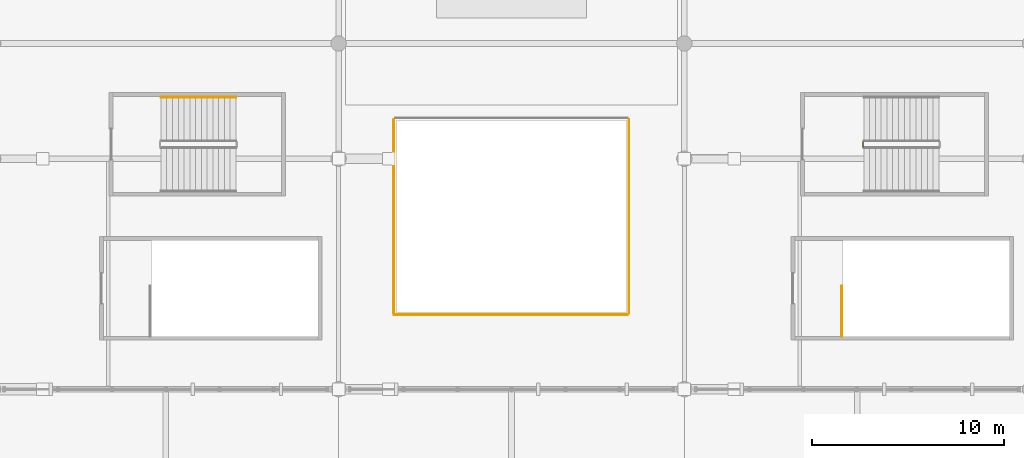
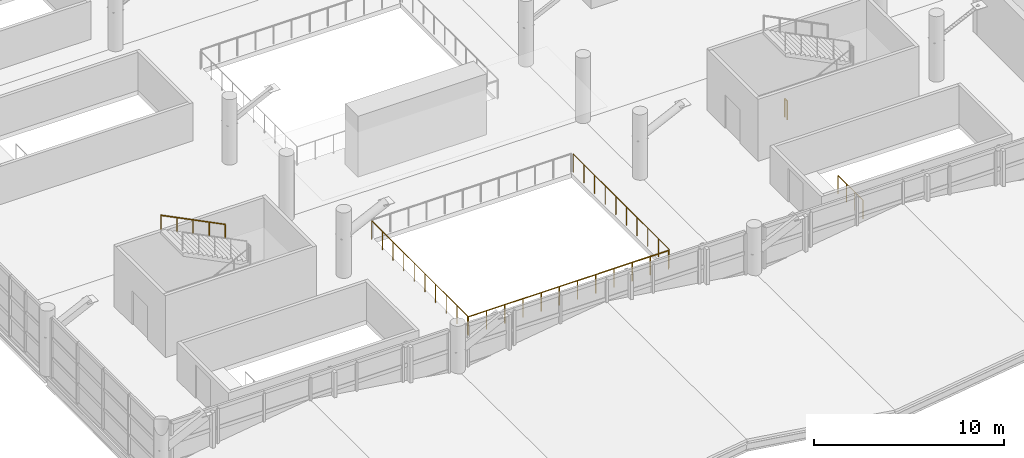
# One storey, part 126 of 136: 6 railings.
"""IFC4 building model written with IfcOpenShell, lengths in metres."""

from ifc_helpers import new_model, si_unit, direction, frame, origin, origin_2d, place, context, subcontext, project, spatial, circle, extrude, material, type_object, element, save


model = new_model("IFC4")

# Units and contexts
model_context = context("Model", 3, precision=1e-05, world=origin(), true_north=direction((0.0, 1.0)))
body_context = subcontext(model_context, "Body", "Model", "MODEL_VIEW")
ifc_project = project(units=[si_unit("LENGTHUNIT", "METRE"), si_unit("AREAUNIT", "SQUARE_METRE"), si_unit("VOLUMEUNIT", "CUBIC_METRE"), si_unit("PLANEANGLEUNIT", "RADIAN"), si_unit("MASSUNIT", "GRAM", prefix="KILO")], contexts=[model_context])

# Site, building, storey
site_placement = place(None, origin())
site = spatial("IfcSite", under=ifc_project, at=site_placement, CompositionType="ELEMENT")
building_placement = place(site_placement, origin())
building = spatial("IfcBuilding", under=site, at=building_placement, Name="Chuanluo Vaults Station", CompositionType="ELEMENT")
storey_placement = place(building_placement, frame((0.0, 0.0, 6.60009765625)))
storey = spatial("IfcBuildingStorey", under=building, at=storey_placement, Name="L01", CompositionType="ELEMENT", Elevation=6.60009765625)

# Railings
ifc_material_1 = material(Name="Tempered laminated balustrade glass", Category="glass")
railing_type_1 = type_object("IfcRailingType", Name="RLG-GUARD-1200", PredefinedType="BALUSTRADE", material=ifc_material_1)
railing_1_placement = place(storey_placement, frame((38.8798828125, 21.8798828125, 0.0)))
element("IfcRailing", 1, at=railing_1_placement, inside=storey, type_object=railing_type_1, Name="Concourse atrium void glass balustrade 01-S", PredefinedType="BALUSTRADE", context=body_context, shape_type="SweptSolid", body=[
    extrude(circle(Radius=0.02392578125, at=origin_2d()), frame((0.0, 0.0, 1.17578125), z_axis=(1.0, 0.0, 0.0), x_axis=(0.0, 1.0, 0.0)), (0.0, 0.0, 1.0), 12.16015625),
    extrude(circle(Radius=0.02099609375, at=origin_2d()), origin(), (0.0, 0.0, 1.0), 1.15185546875),
    extrude(circle(Radius=0.02099609375, at=origin_2d()), frame((1.10546875, 0.0, 0.0)), (0.0, 0.0, 1.0), 1.15185546875),
    extrude(circle(Radius=0.02099609375, at=origin_2d()), frame((2.2109375, 0.0, 0.0)), (0.0, 0.0, 1.0), 1.15185546875),
    extrude(circle(Radius=0.02099609375, at=origin_2d()), frame((3.31640625, 0.0, 0.0)), (0.0, 0.0, 1.0), 1.15185546875),
    extrude(circle(Radius=0.02099609375, at=origin_2d()), frame((4.421875, 0.0, 0.0)), (0.0, 0.0, 1.0), 1.15185546875),
    extrude(circle(Radius=0.02099609375, at=origin_2d()), frame((5.52734375, 0.0, 0.0)), (0.0, 0.0, 1.0), 1.15185546875),
    extrude(circle(Radius=0.02099609375, at=origin_2d()), frame((6.6328125, 0.0, 0.0)), (0.0, 0.0, 1.0), 1.15185546875),
    extrude(circle(Radius=0.02099609375, at=origin_2d()), frame((7.73828125, 0.0, 0.0)), (0.0, 0.0, 1.0), 1.15185546875),
    extrude(circle(Radius=0.02099609375, at=origin_2d()), frame((8.84375, 0.0, 0.0)), (0.0, 0.0, 1.0), 1.15185546875),
    extrude(circle(Radius=0.02099609375, at=origin_2d()), frame((9.94921875, 0.0, 0.0)), (0.0, 0.0, 1.0), 1.15185546875),
    extrude(circle(Radius=0.02099609375, at=origin_2d()), frame((11.0546875, 0.0, 0.0)), (0.0, 0.0, 1.0), 1.15185546875),
    extrude(circle(Radius=0.02099609375, at=origin_2d()), frame((12.16015625, 0.0, 0.0)), (0.0, 0.0, 1.0), 1.15185546875),
])
railing_2_placement = place(storey_placement, frame((51.1201171875, 21.9599609375, 0.0)))
element("IfcRailing", 2, at=railing_2_placement, inside=storey, type_object=railing_type_1, Name="Concourse atrium void glass balustrade 01-E", PredefinedType="BALUSTRADE", context=body_context, shape_type="SweptSolid", body=[
    extrude(circle(Radius=0.02392578125, at=origin_2d()), frame((0.0, 0.0, 1.17578125), z_axis=(0.0, 1.0, 0.0), x_axis=(-1.0, 0.0, 0.0)), (0.0, 0.0, 1.0), 10.080078125),
    extrude(circle(Radius=0.02099609375, at=origin_2d()), origin(), (0.0, 0.0, 1.0), 1.15185546875),
    extrude(circle(Radius=0.02099609375, at=origin_2d()), frame((0.0, 1.1201171875, 0.0)), (0.0, 0.0, 1.0), 1.15185546875),
    extrude(circle(Radius=0.02099609375, at=origin_2d()), frame((0.0, 2.239990234375, 0.0)), (0.0, 0.0, 1.0), 1.15185546875),
    extrude(circle(Radius=0.02099609375, at=origin_2d()), frame((0.0, 3.360107421875, 0.0)), (0.0, 0.0, 1.0), 1.15185546875),
    extrude(circle(Radius=0.02099609375, at=origin_2d()), frame((0.0, 4.47998046875, 0.0)), (0.0, 0.0, 1.0), 1.15185546875),
    extrude(circle(Radius=0.02099609375, at=origin_2d()), frame((0.0, 5.60009765625, 0.0)), (0.0, 0.0, 1.0), 1.15185546875),
    extrude(circle(Radius=0.02099609375, at=origin_2d()), frame((0.0, 6.719970703125, 0.0)), (0.0, 0.0, 1.0), 1.15185546875),
    extrude(circle(Radius=0.02099609375, at=origin_2d()), frame((0.0, 7.840087890625, 0.0)), (0.0, 0.0, 1.0), 1.15185546875),
    extrude(circle(Radius=0.02099609375, at=origin_2d()), frame((0.0, 8.9599609375, 0.0)), (0.0, 0.0, 1.0), 1.15185546875),
    extrude(circle(Radius=0.02099609375, at=origin_2d()), frame((0.0, 10.080078125, 0.0)), (0.0, 0.0, 1.0), 1.15185546875),
])
railing_3_placement = place(storey_placement, frame((38.8798828125, 32.0400390625, 0.0)))
element("IfcRailing", 3, at=railing_3_placement, inside=storey, type_object=railing_type_1, Name="Concourse atrium void glass balustrade 01-W", PredefinedType="BALUSTRADE", context=body_context, shape_type="SweptSolid", body=[
    extrude(circle(Radius=0.02392578125, at=origin_2d()), frame((0.0, 0.0, 1.17578125), z_axis=(0.0, -1.0, 0.0), x_axis=(1.0, 0.0, 0.0)), (0.0, 0.0, 1.0), 10.080078125),
    extrude(circle(Radius=0.02099609375, at=origin_2d()), origin(), (0.0, 0.0, 1.0), 1.15185546875),
    extrude(circle(Radius=0.02099609375, at=origin_2d()), frame((0.0, -1.1201171875, 0.0)), (0.0, 0.0, 1.0), 1.15185546875),
    extrude(circle(Radius=0.02099609375, at=origin_2d()), frame((0.0, -2.239990234375, 0.0)), (0.0, 0.0, 1.0), 1.15185546875),
    extrude(circle(Radius=0.02099609375, at=origin_2d()), frame((0.0, -3.360107421875, 0.0)), (0.0, 0.0, 1.0), 1.15185546875),
    extrude(circle(Radius=0.02099609375, at=origin_2d()), frame((0.0, -4.47998046875, 0.0)), (0.0, 0.0, 1.0), 1.15185546875),
    extrude(circle(Radius=0.02099609375, at=origin_2d()), frame((0.0, -5.60009765625, 0.0)), (0.0, 0.0, 1.0), 1.15185546875),
    extrude(circle(Radius=0.02099609375, at=origin_2d()), frame((0.0, -6.719970703125, 0.0)), (0.0, 0.0, 1.0), 1.15185546875),
    extrude(circle(Radius=0.02099609375, at=origin_2d()), frame((0.0, -7.840087890625, 0.0)), (0.0, 0.0, 1.0), 1.15185546875),
    extrude(circle(Radius=0.02099609375, at=origin_2d()), frame((0.0, -8.9599609375, 0.0)), (0.0, 0.0, 1.0), 1.15185546875),
    extrude(circle(Radius=0.02099609375, at=origin_2d()), frame((0.0, -10.080078125, 0.0)), (0.0, 0.0, 1.0), 1.15185546875),
])
railing_4_placement = place(storey_placement, frame((62.199951171875, 20.75, 0.0)))
element("IfcRailing", 4, at=railing_4_placement, inside=storey, type_object=railing_type_1, Name="L01 ST-19 top well guard 1", PredefinedType="BALUSTRADE", context=body_context, shape_type="SweptSolid", body=[
    extrude(circle(Radius=0.02392578125, at=origin_2d()), frame((0.0, 0.0, 1.17578125), z_axis=(0.0, 1.0, 0.0), x_axis=(-1.0, 0.0, 0.0)), (0.0, 0.0, 1.0), 2.625),
    extrude(circle(Radius=0.02099609375, at=origin_2d()), origin(), (0.0, 0.0, 1.0), 1.15185546875),
    extrude(circle(Radius=0.02099609375, at=origin_2d()), frame((0.0, 0.875, 0.0)), (0.0, 0.0, 1.0), 1.15185546875),
    extrude(circle(Radius=0.02099609375, at=origin_2d()), frame((0.0, 1.75, 0.0)), (0.0, 0.0, 1.0), 1.15185546875),
    extrude(circle(Radius=0.02099609375, at=origin_2d()), frame((0.0, 2.625, 0.0)), (0.0, 0.0, 1.0), 1.15185546875),
])
railing_5_placement = place(storey_placement, frame((63.300048828125, 30.625, 0.0)))
element("IfcRailing", 5, at=railing_5_placement, inside=storey, type_object=railing_type_1, Name="L01 ST-23 stair guard 4", PredefinedType="BALUSTRADE", context=body_context, shape_type="SweptSolid", body=[
    extrude(circle(Radius=0.02392578125, at=origin_2d()), frame((0.0, 0.0, 1.17578125), z_axis=(0.0, 1.0, 0.0), x_axis=(-1.0, 0.0, 0.0)), (0.0, 0.0, 1.0), 0.25),
    extrude(circle(Radius=0.02099609375, at=origin_2d()), origin(), (0.0, 0.0, 1.0), 1.15185546875),
    extrude(circle(Radius=0.02099609375, at=origin_2d()), frame((0.0, 0.25, 0.0)), (0.0, 0.0, 1.0), 1.15185546875),
])
ifc_material_2 = material(Name="Brushed stainless steel 304", Category="steel")
railing_type_2 = type_object("IfcRailingType", Name="RLG-HAND-900", PredefinedType="HANDRAIL", material=ifc_material_2)
railing_6_placement = place(storey_placement, frame((30.64990234375, 33.199951171875, 2.25)))
element("IfcRailing", 6, at=railing_6_placement, inside=storey, type_object=railing_type_2, Name="L01 ST-22 stair handrail 2", PredefinedType="HANDRAIL", context=body_context, shape_type="SweptSolid", body=[
    extrude(circle(Radius=0.02392578125, at=origin_2d()), frame((0.0, 0.0, 0.8759765625), z_axis=(-0.894427191, 0.0, 0.4472135955), x_axis=(0.0, -1.0, 0.0)), (0.0, 0.0, 1.0), 4.360107421875),
    extrude(circle(Radius=0.02099609375, at=origin_2d()), origin(), (0.0, 0.0, 1.0), 0.851806640625),
    extrude(circle(Radius=0.02099609375, at=origin_2d()), frame((-0.97509765625, 0.0, 0.487548828125)), (0.0, 0.0, 1.0), 0.851806640625),
    extrude(circle(Radius=0.02099609375, at=origin_2d()), frame((-1.949951171875, 0.0, 0.97509765625)), (0.0, 0.0, 1.0), 0.851806640625),
    extrude(circle(Radius=0.02099609375, at=origin_2d()), frame((-2.9248046875, 0.0, 1.46240234375)), (0.0, 0.0, 1.0), 0.851806640625),
    extrude(circle(Radius=0.02099609375, at=origin_2d()), frame((-3.89990234375, 0.0, 1.949951171875)), (0.0, 0.0, 1.0), 0.851806640625),
])

save(model, "model.ifc")
